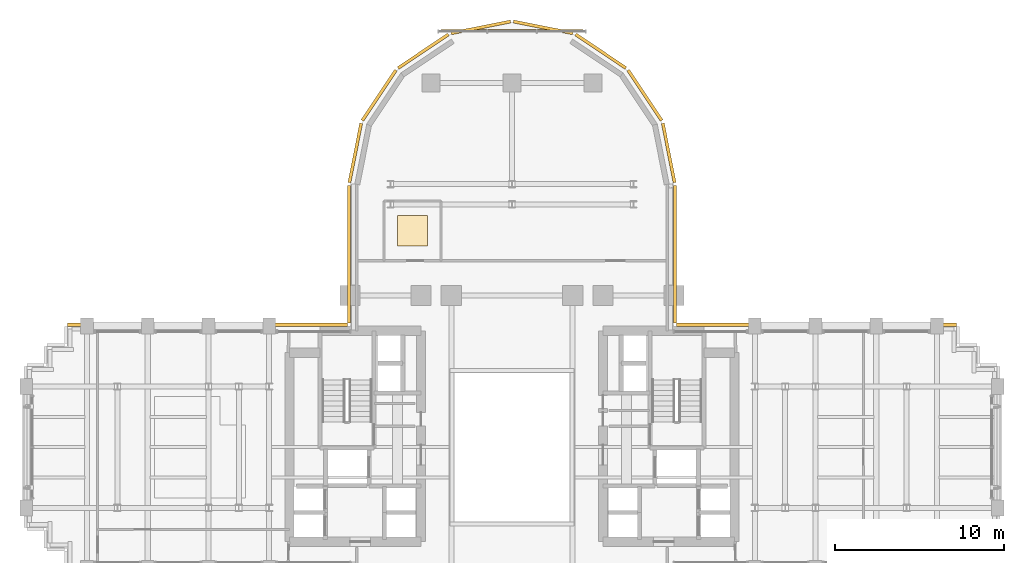
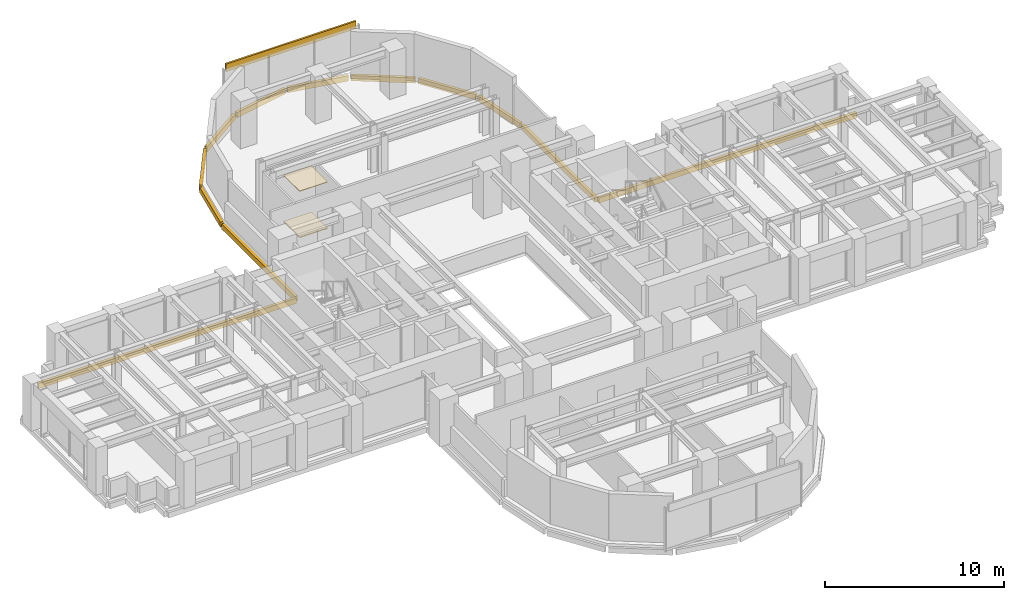
# One storey, part 16 of 16: 15 coverings.
"""IFC4 building model written with IfcOpenShell, lengths in metres."""

from ifc_helpers import new_model, si_unit, direction, frame, origin, origin_2d, place, context, subcontext, project, spatial, rectangle, extrude, source, transform, mapped, material, layer, layer_set, type_object, element, save


model = new_model("IFC4")

# Units and contexts
model_context = context("Model", 3, precision=1e-05, world=origin(), true_north=direction((0.0, 1.0)))
body_context = subcontext(model_context, "Body", "Model", "MODEL_VIEW")
ifc_project = project(units=[si_unit("LENGTHUNIT", "METRE"), si_unit("AREAUNIT", "SQUARE_METRE"), si_unit("VOLUMEUNIT", "CUBIC_METRE"), si_unit("PLANEANGLEUNIT", "RADIAN"), si_unit("MASSUNIT", "GRAM", prefix="KILO")], contexts=[model_context])

# Site, building, storey
site_placement = place(None, origin())
site = spatial("IfcSite", under=ifc_project, at=site_placement, CompositionType="ELEMENT")
building_placement = place(site_placement, origin())
building = spatial("IfcBuilding", under=site, at=building_placement, Name="Keilestroom Media Tower", CompositionType="ELEMENT")
storey_placement = place(building_placement, frame((0.0, 0.0, 51.0)))
storey = spatial("IfcBuildingStorey", under=building, at=storey_placement, Name="L12", CompositionType="ELEMENT", Elevation=51.0)

# Coverings
ifc_material_1 = material(Name="Precast concrete C40/50", Category="concrete")
ifc_layer_1 = layer(ifc_material_1, 0.1201171875)
ifc_layer_set_1 = layer_set([ifc_layer_1], Name="Precast concrete C40/50")
covering_type_1 = type_object("IfcCoveringType", Name="Exterior-Precast-Spandrel-Cladding-Panel-120", PredefinedType="CLADDING", material=ifc_layer_set_1)
shared_shape_1 = source(origin(), body_context, "Body", "SweptSolid", [
    extrude(rectangle(XDim=8.39990234375, YDim=0.1201171875, at=origin_2d()), origin(), (0.0, 0.0, 1.0), 0.52001953125),
])
covering_1_placement = place(storey_placement, frame((0.0, 24.719970703125, 2.68994140625), z_axis=(0.0, 0.0, 1.0), x_axis=(1.0, 0.0, 0.0)))
element("IfcCovering", 1, at=covering_1_placement, inside=storey, type_object=covering_type_1, Name="L12 Precast Spandrel Cladding N", PredefinedType="CLADDING", context=body_context, shape_type="MappedRepresentation", body=[
    mapped(shared_shape_1, transform((0.0, 0.0, 0.0), x_axis=(1.0, 0.0, 0.0), y_axis=(0.0, 1.0, 0.0), z_axis=(0.0, 0.0, 1.0), scale=1.0)),
])
shared_shape_2 = source(origin(), body_context, "Body", "SweptSolid", [
    extrude(rectangle(XDim=16.6201171875, YDim=0.179931640625, at=origin_2d()), origin(), (0.0, 0.0, 1.0), 0.360107421875),
])
for number, where, z_axis, x_axis, name in (
    (2, (-18.06005859375, 7.260009765625, -0.5400390625), (0.0, 0.0, 1.0), (1.0, 0.0, 0.0), "L12 Precast Slab-Edge Fascia Cornice 26"),
    (3, (18.06005859375, 7.260009765625, -0.5400390625), (0.0, 0.0, 1.0), (1.0, 0.0, 0.0), "L12 Precast Slab-Edge Fascia Cornice 37"),
):
    element("IfcCovering", number, at=place(storey_placement, frame(where, z_axis=z_axis, x_axis=x_axis)), inside=storey, type_object=covering_type_1, Name=name, PredefinedType="CLADDING", context=body_context, shape_type="MappedRepresentation", body=[
        mapped(shared_shape_2, transform((0.0, 0.0, 0.0), x_axis=(1.0, 0.0, 0.0), y_axis=(0.0, 1.0, 0.0), z_axis=(0.0, 0.0, 1.0), scale=1.0)),
    ])
shared_shape_3 = source(origin(), body_context, "Body", "SweptSolid", [
    extrude(rectangle(XDim=8.166015625, YDim=0.179931640625, at=origin_2d()), origin(), (0.0, 0.0, 1.0), 0.360107421875),
])
for number, where, z_axis, x_axis, name in (
    (4, (-9.659912109375, 11.43310546875, -0.5400390625), (0.0, 0.0, 1.0), (0.0, 1.0, 0.0), "L12 Precast Slab-Edge Fascia Cornice 27"),
    (5, (9.659912109375, 11.43310546875, -0.5400390625), (0.0, 0.0, 1.0), (0.0, -1.0, 0.0), "L12 Precast Slab-Edge Fascia Cornice 36"),
):
    element("IfcCovering", number, at=place(storey_placement, frame(where, z_axis=z_axis, x_axis=x_axis)), inside=storey, type_object=covering_type_1, Name=name, PredefinedType="CLADDING", context=body_context, shape_type="MappedRepresentation", body=[
        mapped(shared_shape_3, transform((0.0, 0.0, 0.0), x_axis=(1.0, 0.0, 0.0), y_axis=(0.0, 1.0, 0.0), z_axis=(0.0, 0.0, 1.0), scale=1.0)),
    ])
shared_shape_4 = source(origin(), body_context, "Body", "SweptSolid", [
    extrude(rectangle(XDim=3.58349609375, YDim=0.179931640625, at=origin_2d()), origin(), (0.0, 0.0, 1.0), 0.360107421875),
])
for number, where, z_axis, x_axis, name in (
    (6, (-9.29296875, 17.45166015625, -0.5400390625), (0.0, 0.0, 1.0), (0.195098880975, 0.980783577882, 0.0), "L12 Precast Slab-Edge Fascia Cornice 28"),
    (7, (9.29296875, 17.45166015625, -0.5400390625), (0.0, 0.0, 1.0), (0.195098880975, -0.980783577882, 0.0), "L12 Precast Slab-Edge Fascia Cornice 35"),
):
    element("IfcCovering", number, at=place(storey_placement, frame(where, z_axis=z_axis, x_axis=x_axis)), inside=storey, type_object=covering_type_1, Name=name, PredefinedType="CLADDING", context=body_context, shape_type="MappedRepresentation", body=[
        mapped(shared_shape_4, transform((0.0, 0.0, 0.0), x_axis=(1.0, 0.0, 0.0), y_axis=(0.0, 1.0, 0.0), z_axis=(0.0, 0.0, 1.0), scale=1.0)),
    ])
shared_shape_5 = source(origin(), body_context, "Body", "SweptSolid", [
    extrude(rectangle(XDim=3.589599609375, YDim=0.179931640625, at=origin_2d()), origin(), (0.0, 0.0, 1.0), 0.360107421875),
])
for number, where, z_axis, x_axis, name in (
    (8, (-7.878662109375, 20.8642578125, -0.5400390625), (0.0, 0.0, 1.0), (0.555574586577, 0.831466703332, 0.0), "L12 Precast Slab-Edge Fascia Cornice 29"),
    (9, (-5.264404296875, 23.478515625, -0.5400390625), (0.0, 0.0, 1.0), (0.831466703332, 0.555574586577, 0.0), "L12 Precast Slab-Edge Fascia Cornice 30"),
    (10, (-1.8486328125, 24.893310546875, -0.5400390625), (0.0, 0.0, 1.0), (0.980783577882, 0.195098880975, 0.0), "L12 Precast Slab-Edge Fascia Cornice 31"),
    (11, (1.8486328125, 24.893310546875, -0.5400390625), (0.0, 0.0, 1.0), (0.980783577882, -0.195098880975, 0.0), "L12 Precast Slab-Edge Fascia Cornice 32"),
    (12, (5.264404296875, 23.478515625, -0.5400390625), (0.0, 0.0, 1.0), (0.831466703332, -0.555574586577, 0.0), "L12 Precast Slab-Edge Fascia Cornice 33"),
    (13, (7.878662109375, 20.8642578125, -0.5400390625), (0.0, 0.0, 1.0), (0.555574586577, -0.831466703332, 0.0), "L12 Precast Slab-Edge Fascia Cornice 34"),
):
    element("IfcCovering", number, at=place(storey_placement, frame(where, z_axis=z_axis, x_axis=x_axis)), inside=storey, type_object=covering_type_1, Name=name, PredefinedType="CLADDING", context=body_context, shape_type="MappedRepresentation", body=[
        mapped(shared_shape_5, transform((0.0, 0.0, 0.0), x_axis=(1.0, 0.0, 0.0), y_axis=(0.0, 1.0, 0.0), z_axis=(0.0, 0.0, 1.0), scale=1.0)),
    ])
ifc_material_2 = material(Name="Mineral-Fibre Acoustic Ceiling Tile", Category="gypsum")
ifc_layer_2 = layer(ifc_material_2, 0.0400390625)
ifc_layer_set_2 = layer_set([ifc_layer_2], Name="Mineral-Fibre Acoustic Ceiling Tile")
covering_type_2 = type_object("IfcCoveringType", Name="Suspended-Acoustic-Ceiling-40", PredefinedType="CEILING", material=ifc_layer_set_2)
shared_shape_6 = source(origin(), body_context, "Body", "SweptSolid", [
    extrude(rectangle(XDim=1.800048828125, YDim=1.800048828125, at=origin_2d()), origin(), (0.0, 0.0, 1.0), 0.0400390625),
])
covering_2_placement = place(storey_placement, frame((-5.89990234375, 12.824951171875, 3.159912109375), z_axis=(0.0, 0.0, 1.0), x_axis=(1.0, 0.0, 0.0)))
element("IfcCovering", 14, at=covering_2_placement, inside=storey, type_object=covering_type_2, Name="L12 Suspended Acoustic Ceiling 1", PredefinedType="CEILING", context=body_context, shape_type="MappedRepresentation", body=[
    mapped(shared_shape_6, transform((0.0, 0.0, 0.0), x_axis=(1.0, 0.0, 0.0), y_axis=(0.0, 1.0, 0.0), z_axis=(0.0, 0.0, 1.0), scale=1.0)),
])
ifc_material_3 = material(Name="Calcium-Sulphate Raised Access Floor", Category="concrete")
ifc_layer_3 = layer(ifc_material_3, 0.06005859375)
ifc_layer_set_3 = layer_set([ifc_layer_3], Name="Calcium-Sulphate Raised Access Floor")
covering_type_3 = type_object("IfcCoveringType", Name="Raised-Access-And-Acoustic-Flooring-60", PredefinedType="FLOORING", material=ifc_layer_set_3)
shared_shape_7 = source(origin(), body_context, "Body", "SweptSolid", [
    extrude(rectangle(XDim=1.800048828125, YDim=1.800048828125, at=origin_2d()), origin(), (0.0, 0.0, 1.0), 0.06005859375),
])
covering_3_placement = place(storey_placement, frame((-5.89990234375, 12.824951171875, 0.0), z_axis=(0.0, 0.0, 1.0), x_axis=(1.0, 0.0, 0.0)))
element("IfcCovering", 15, at=covering_3_placement, inside=storey, type_object=covering_type_3, Name="L12 Raised Access Flooring 1", PredefinedType="FLOORING", context=body_context, shape_type="MappedRepresentation", body=[
    mapped(shared_shape_7, transform((0.0, 0.0, 0.0), x_axis=(1.0, 0.0, 0.0), y_axis=(0.0, 1.0, 0.0), z_axis=(0.0, 0.0, 1.0), scale=1.0)),
])

save(model, "model.ifc")
